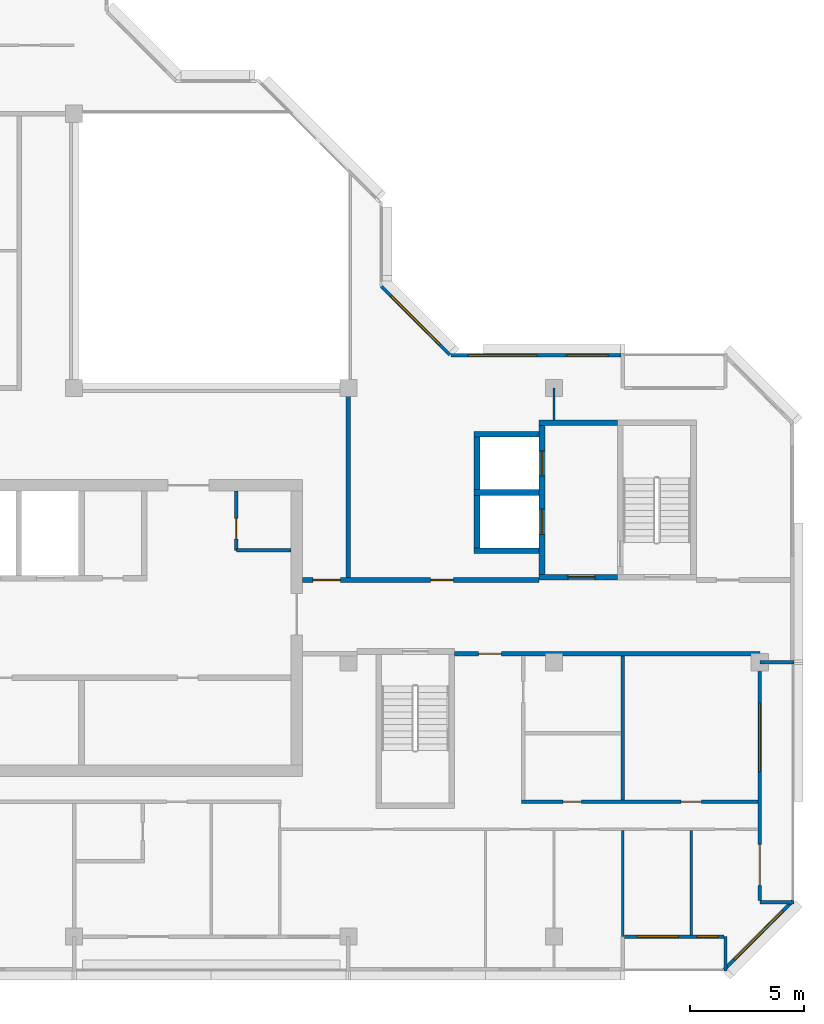
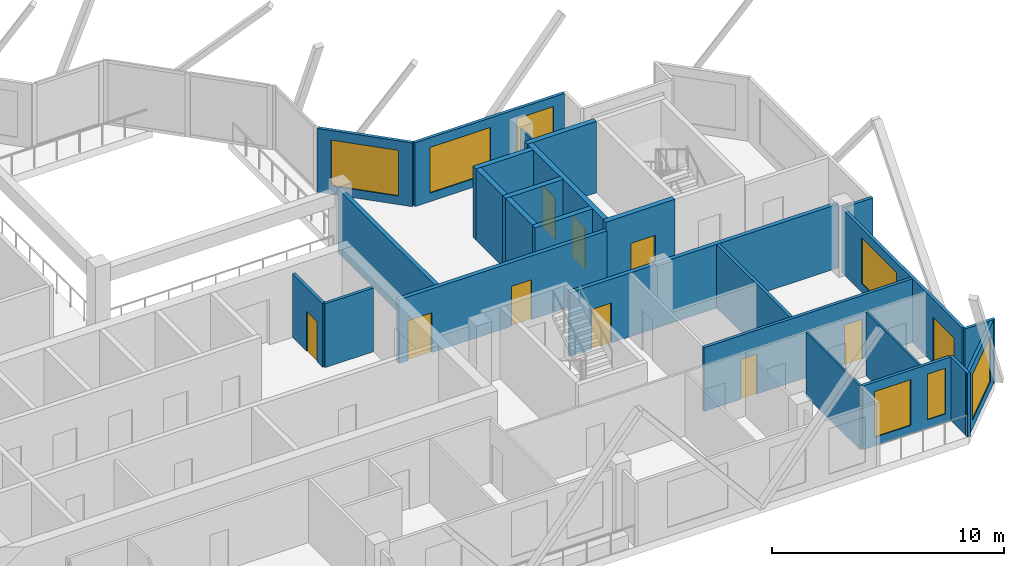
# One storey, part 6 of 12: 26 walls, 10 doors, 7 windows, 17 openings.
"""IFC4 building model written with IfcOpenShell, lengths in metres."""

from ifc_helpers import new_model, si_unit, direction, frame, frame_2d, origin, place, context, subcontext, project, spatial, rectangle, extrude, material, layer, layer_set, type_object, element, fill, save


model = new_model("IFC4")

# Units and contexts
model_context = context("Model", 3, precision=1e-05, world=origin(), true_north=direction((0.0, 1.0)))
body_context = subcontext(model_context, "Body", "Model", "MODEL_VIEW")
ifc_project = project(units=[si_unit("LENGTHUNIT", "METRE"), si_unit("AREAUNIT", "SQUARE_METRE"), si_unit("VOLUMEUNIT", "CUBIC_METRE"), si_unit("PLANEANGLEUNIT", "RADIAN"), si_unit("MASSUNIT", "GRAM", prefix="KILO")], contexts=[model_context])

# Site, building, storey
site_placement = place(None, origin())
site = spatial("IfcSite", under=ifc_project, at=site_placement, CompositionType="ELEMENT")
building_placement = place(site_placement, origin())
building = spatial("IfcBuilding", under=site, at=building_placement, Name="Chenar Terraces", CompositionType="ELEMENT")
storey_placement = place(building_placement, frame((0.0, 0.0, 338.89990234375)))
storey = spatial("IfcBuildingStorey", under=building, at=storey_placement, Name="L78", CompositionType="ELEMENT", Elevation=338.89990234375)

# Wall, opening, door
ifc_material_1 = material(Name="Gypsum board on steel studs", Category="steel")
ifc_layer_1 = layer(ifc_material_1, 0.14990234375)
ifc_layer_set_1 = layer_set([ifc_layer_1], Name="Gypsum board on steel studs")
wall_type_1 = type_object("IfcWallType", Name="Core partition 150 gypsum board", PredefinedType="PARTITIONING", material=ifc_layer_set_1)
wall_1_placement = place(storey_placement, frame((31.10009765625, 16.89990234375, 0.0), z_axis=(0.0, 0.0, 1.0), x_axis=(0.0, 1.0, 0.0)))
wall_1 = element("IfcWall", 1, at=wall_1_placement, inside=storey, type_object=wall_type_1, Name="Core partition CP1 vestibule room west wall", PredefinedType="PARTITIONING", context=body_context, shape_type="SweptSolid", body=[
    extrude(rectangle(XDim=2.60009765625, YDim=0.14990234375, at=frame_2d((1.300048828125, 0.0))), origin(), (0.0, 0.0, 1.0), 3.35009765625),
])
opening_1_placement = place(wall_1_placement, frame((0.5, 0.0, 0.0)))
opening_1 = element("IfcOpeningElement", 2, at=opening_1_placement, cuts=wall_1, Name="Opening DL78-C16", PredefinedType="OPENING", context=body_context, shape_type="SweptSolid", body=[
    extrude(rectangle(XDim=0.89990234375, YDim=2.10009765625, at=frame_2d((0.449951171875, 1.050048828125))), frame((0.0, 0.0849609375, 0.0), z_axis=(0.0, -1.0, 0.0), x_axis=(1.0, 0.0, 0.0)), (0.0, 0.0, 1.0), 0.169921875),
])
ifc_material_2 = material(Name="Steel-framed fire-resisting door leaf", Category="steel")
door_type_1 = type_object("IfcDoorType", Name="Riser fire door FD60 900 x 2100", OperationType="SINGLE_SWING_LEFT", PredefinedType="DOOR", material=ifc_material_2)
door_1_placement = place(opening_1_placement, frame((0.89990234375, 0.0, 0.0), z_axis=(0.0, 0.0, 1.0), x_axis=(-1.0, 0.0, 0.0)))
door_1 = element("IfcDoor", 3, at=door_1_placement, inside=storey, type_object=door_type_1, Name="Core room door DL78-C16", OperationType="SINGLE_SWING_RIGHT", OverallHeight=2.10009765625, OverallWidth=0.89990234375, PredefinedType="DOOR", context=body_context, shape_type="SweptSolid", body=[
    extrude(rectangle(XDim=0.89990234375, YDim=2.10009765625, at=frame_2d((0.449951171875, 1.050048828125))), frame((0.0, 0.02490234375, 0.0), z_axis=(0.0, -1.0, 0.0), x_axis=(1.0, 0.0, 0.0)), (0.0, 0.0, 1.0), 0.050048828125),
])
fill(opening_1, door_1)

# Wall
wall_2_placement = place(storey_placement, frame((31.10009765625, 16.89990234375, 0.0), z_axis=(0.0, 0.0, 1.0), x_axis=(1.0, 0.0, 0.0)))
element("IfcWall", 4, at=wall_2_placement, inside=storey, type_object=wall_type_1, Name="Core partition CP1 vestibule room south wall", PredefinedType="PARTITIONING", context=body_context, shape_type="SweptSolid", body=[
    extrude(rectangle(XDim=2.39990234375, YDim=0.14990234375, at=frame_2d((1.199951171875, 0.0))), origin(), (0.0, 0.0, 1.0), 3.35009765625),
])

# Wall, opening, door
ifc_material_3 = material(Name="Concrete C50/60", Category="concrete")
ifc_layer_2 = layer(ifc_material_3, 0.25)
ifc_layer_set_2 = layer_set([ifc_layer_2], Name="Concrete C50/60")
wall_type_2 = type_object("IfcWallType", Name="Core wall 250 Concrete C50/60", PredefinedType="SHEAR", material=ifc_layer_set_2)
wall_3_placement = place(storey_placement, frame((44.35009765625, 15.72509765625, 0.0), z_axis=(0.0, 0.0, 1.0), x_axis=(1.0, 0.0, 0.0)))
wall_3 = element("IfcWall", 5, at=wall_3_placement, inside=storey, type_object=wall_type_2, Name="Core wall F3_LS L78", PredefinedType="SHEAR", context=body_context, shape_type="SweptSolid", body=[
    extrude(rectangle(XDim=3.4248046875, YDim=0.25, at=frame_2d((1.71240234375, 0.0))), origin(), (0.0, 0.0, 1.0), 3.75),
])
opening_2_placement = place(wall_3_placement, frame((1.25, 0.0, 0.0)))
opening_2 = element("IfcOpeningElement", 6, at=opening_2_placement, cuts=wall_3, Name="Opening DL78-C10", PredefinedType="OPENING", context=body_context, shape_type="SweptSolid", body=[
    extrude(rectangle(XDim=1.199951171875, YDim=2.199951171875, at=frame_2d((0.60009765625, 1.10009765625))), frame((0.0, 0.135009765625, 0.0), z_axis=(0.0, -1.0, 0.0), x_axis=(1.0, 0.0, 0.0)), (0.0, 0.0, 1.0), 0.27001953125),
])
ifc_material_4 = material(Name="Steel-framed fire-resisting door leaf", Category="steel")
door_type_2 = type_object("IfcDoorType", Name="Lobby fire door FD60 1200 x 2200", OperationType="SINGLE_SWING_LEFT", PredefinedType="DOOR", material=ifc_material_4)
door_2_placement = place(opening_2_placement, origin())
door_2 = element("IfcDoor", 7, at=door_2_placement, inside=storey, type_object=door_type_2, Name="Core door DL78-C10", OperationType="SINGLE_SWING_RIGHT", OverallHeight=2.199951171875, OverallWidth=1.199951171875, PredefinedType="DOOR", context=body_context, shape_type="SweptSolid", body=[
    extrude(rectangle(XDim=1.199951171875, YDim=2.199951171875, at=frame_2d((0.60009765625, 1.10009765625))), frame((0.0, 0.02490234375, 0.0), z_axis=(0.0, -1.0, 0.0), x_axis=(1.0, 0.0, 0.0)), (0.0, 0.0, 1.0), 0.050048828125),
])
fill(opening_2, door_2)

# Wall
wall_4_placement = place(storey_placement, frame((44.35009765625, 22.47509765625, 0.0), z_axis=(0.0, 0.0, 1.0), x_axis=(1.0, 0.0, 0.0)))
element("IfcWall", 8, at=wall_4_placement, inside=storey, type_object=wall_type_2, Name="Core wall F3_LN L78", PredefinedType="SHEAR", context=body_context, shape_type="SweptSolid", body=[
    extrude(rectangle(XDim=3.4248046875, YDim=0.25, at=frame_2d((1.71240234375, 0.0))), origin(), (0.0, 0.0, 1.0), 3.75),
])

# Wall, openings, doors
wall_5_placement = place(storey_placement, frame((44.47509765625, 15.85009765625, 0.0), z_axis=(0.0, 0.0, 1.0), x_axis=(0.0, 1.0, 0.0)))
wall_5 = element("IfcWall", 9, at=wall_5_placement, inside=storey, type_object=wall_type_2, Name="Core wall F3_LW L78", PredefinedType="SHEAR", context=body_context, shape_type="SweptSolid", body=[
    extrude(rectangle(XDim=6.5, YDim=0.25, at=frame_2d((3.25, 0.0))), origin(), (0.0, 0.0, 1.0), 3.75),
])
opening_3_placement = place(wall_5_placement, frame((1.75, 0.0, 0.0)))
opening_3 = element("IfcOpeningElement", 10, at=opening_3_placement, cuts=wall_5, Name="Opening DL78-LD8", PredefinedType="OPENING", context=body_context, shape_type="SweptSolid", body=[
    extrude(rectangle(XDim=1.10009765625, YDim=2.199951171875, at=frame_2d((0.550048828125, 1.10009765625))), frame((0.0, 0.135009765625, 0.0), z_axis=(0.0, -1.0, 0.0), x_axis=(1.0, 0.0, 0.0)), (0.0, 0.0, 1.0), 0.27001953125),
])
opening_4_placement = place(wall_5_placement, frame((4.300048828125, 0.0, 0.0)))
opening_4 = element("IfcOpeningElement", 11, at=opening_4_placement, cuts=wall_5, Name="Opening DL78-LD9", PredefinedType="OPENING", context=body_context, shape_type="SweptSolid", body=[
    extrude(rectangle(XDim=1.10009765625, YDim=2.199951171875, at=frame_2d((0.550048828125, 1.10009765625))), frame((0.0, 0.135009765625, 0.0), z_axis=(0.0, -1.0, 0.0), x_axis=(1.0, 0.0, 0.0)), (0.0, 0.0, 1.0), 0.27001953125),
])
ifc_material_5 = material(Name="Stainless steel", Category="steel")
door_type_3 = type_object("IfcDoorType", Name="Lift landing door 1100 x 2200 sliding", OperationType="DOUBLE_DOOR_SLIDING", PredefinedType="DOOR", material=ifc_material_5)
door_3_placement = place(opening_3_placement, origin())
door_3 = element("IfcDoor", 12, at=door_3_placement, inside=storey, type_object=door_type_3, Name="Landing door F3", OperationType="DOUBLE_DOOR_SLIDING", OverallHeight=2.199951171875, OverallWidth=1.10009765625, PredefinedType="DOOR", context=body_context, shape_type="SweptSolid", body=[
    extrude(rectangle(XDim=1.10009765625, YDim=2.199951171875, at=frame_2d((0.550048828125, 1.10009765625))), frame((0.0, 0.02490234375, 0.0), z_axis=(0.0, -1.0, 0.0), x_axis=(1.0, 0.0, 0.0)), (0.0, 0.0, 1.0), 0.050048828125),
])
fill(opening_3, door_3)
door_4_placement = place(opening_4_placement, origin())
door_4 = element("IfcDoor", 13, at=door_4_placement, inside=storey, type_object=door_type_3, Name="Landing door F4", OperationType="DOUBLE_DOOR_SLIDING", OverallHeight=2.199951171875, OverallWidth=1.10009765625, PredefinedType="DOOR", context=body_context, shape_type="SweptSolid", body=[
    extrude(rectangle(XDim=1.10009765625, YDim=2.199951171875, at=frame_2d((0.550048828125, 1.10009765625))), frame((0.0, 0.02490234375, 0.0), z_axis=(0.0, -1.0, 0.0), x_axis=(1.0, 0.0, 0.0)), (0.0, 0.0, 1.0), 0.050048828125),
])
fill(opening_4, door_4)

# Walls
for number, where, z_axis, x_axis, name in (
    (14, (41.5, 16.875, 0.0), (0.0, 0.0, 1.0), (1.0, 0.0, 0.0), "Core wall F3_SS L78"),
    (15, (41.5, 19.425048828125, 0.0), (0.0, 0.0, 1.0), (1.0, 0.0, 0.0), "Core wall F3_SM L78"),
    (16, (41.5, 21.97509765625, 0.0), (0.0, 0.0, 1.0), (1.0, 0.0, 0.0), "Core wall F4_SN L78"),
):
    element("IfcWall", number, at=place(storey_placement, frame(where, z_axis=z_axis, x_axis=x_axis)), inside=storey, type_object=wall_type_2, Name=name, PredefinedType="SHEAR", context=body_context, shape_type="SweptSolid", body=[
        extrude(rectangle(XDim=2.85009765625, YDim=0.25, at=frame_2d((1.425048828125, 0.0))), origin(), (0.0, 0.0, 1.0), 3.75),
    ])
for number, where, z_axis, x_axis, name in (
    (17, (41.625, 17.0, 0.0), (0.0, 0.0, 1.0), (0.0, 1.0, 0.0), "Core wall F3_SW L78"),
    (18, (41.625, 19.550048828125, 0.0), (0.0, 0.0, 1.0), (0.0, 1.0, 0.0), "Core wall F4_SW L78"),
):
    element("IfcWall", number, at=place(storey_placement, frame(where, z_axis=z_axis, x_axis=x_axis)), inside=storey, type_object=wall_type_2, Name=name, PredefinedType="SHEAR", context=body_context, shape_type="SweptSolid", body=[
        extrude(rectangle(XDim=2.300048828125, YDim=0.25, at=frame_2d((1.14990234375, 0.0))), origin(), (0.0, 0.0, 1.0), 3.75),
    ])

# Wall, openings, doors
ifc_material_6 = material(Name="Gypsum board on steel studs with fire boards", Category="steel")
ifc_layer_3 = layer(ifc_material_6, 0.199951171875)
ifc_layer_set_3 = layer_set([ifc_layer_3], Name="Gypsum board on steel studs with fire boards")
wall_type_3 = type_object("IfcWallType", Name="Corridor wall 200", PredefinedType="PARTITIONING", material=ifc_layer_set_3)
wall_6_placement = place(storey_placement, frame((34.0, 15.60009765625, 0.0), z_axis=(0.0, 0.0, 1.0), x_axis=(1.0, 0.0, 0.0)))
wall_6 = element("IfcWall", 19, at=wall_6_placement, inside=storey, type_object=wall_type_3, Name="Partition L78-051", PredefinedType="PARTITIONING", context=body_context, shape_type="SweptSolid", body=[
    extrude(rectangle(XDim=10.35009765625, YDim=0.199951171875, at=frame_2d((5.175048828125, 0.0))), origin(), (0.0, 0.0, 1.0), 3.35009765625),
])
opening_5_placement = place(wall_6_placement, frame((5.60009765625, 0.0, 0.0)))
opening_5 = element("IfcOpeningElement", 20, at=opening_5_placement, cuts=wall_6, Name="Opening DL78-3", PredefinedType="OPENING", context=body_context, shape_type="SweptSolid", body=[
    extrude(rectangle(XDim=1.0, YDim=2.10009765625, at=frame_2d((0.5, 1.050048828125))), frame((0.0, 0.10986328125, 0.0), z_axis=(0.0, -1.0, 0.0), x_axis=(1.0, 0.0, 0.0)), (0.0, 0.0, 1.0), 0.219970703125),
])
opening_6_placement = place(wall_6_placement, frame((0.449951171875, 0.0, 0.0)))
opening_6 = element("IfcOpeningElement", 21, at=opening_6_placement, cuts=wall_6, Name="Opening DL78-19", PredefinedType="OPENING", context=body_context, shape_type="SweptSolid", body=[
    extrude(rectangle(XDim=1.199951171875, YDim=2.10009765625, at=frame_2d((0.60009765625, 1.050048828125))), frame((0.0, 0.10986328125, 0.0), z_axis=(0.0, -1.0, 0.0), x_axis=(1.0, 0.0, 0.0)), (0.0, 0.0, 1.0), 0.219970703125),
])
ifc_material_7 = material(Name="Steel-framed fire-resisting door leaf", Category="steel")
door_type_4 = type_object("IfcDoorType", Name="Fire door FD60 1000 x 2100", OperationType="SINGLE_SWING_LEFT", PredefinedType="DOOR", material=ifc_material_7)
door_5_placement = place(opening_5_placement, origin())
door_5 = element("IfcDoor", 22, at=door_5_placement, inside=storey, type_object=door_type_4, Name="Door DL78-3", OperationType="SINGLE_SWING_RIGHT", OverallHeight=2.10009765625, OverallWidth=1.0, PredefinedType="DOOR", context=body_context, shape_type="SweptSolid", body=[
    extrude(rectangle(XDim=1.0, YDim=2.10009765625, at=frame_2d((0.5, 1.050048828125))), frame((0.0, 0.02490234375, 0.0), z_axis=(0.0, -1.0, 0.0), x_axis=(1.0, 0.0, 0.0)), (0.0, 0.0, 1.0), 0.050048828125),
])
fill(opening_5, door_5)
ifc_material_8 = material(Name="Steel-framed fire-resisting door leaf", Category="steel")
door_type_5 = type_object("IfcDoorType", Name="Fire door FD60 1200 x 2100", OperationType="SINGLE_SWING_LEFT", PredefinedType="DOOR", material=ifc_material_8)
door_6_placement = place(opening_6_placement, origin())
door_6 = element("IfcDoor", 23, at=door_6_placement, inside=storey, type_object=door_type_5, Name="Door DL78-19", OperationType="SINGLE_SWING_RIGHT", OverallHeight=2.10009765625, OverallWidth=1.199951171875, PredefinedType="DOOR", context=body_context, shape_type="SweptSolid", body=[
    extrude(rectangle(XDim=1.199951171875, YDim=2.10009765625, at=frame_2d((0.60009765625, 1.050048828125))), frame((0.0, 0.02490234375, 0.0), z_axis=(0.0, -1.0, 0.0), x_axis=(1.0, 0.0, 0.0)), (0.0, 0.0, 1.0), 0.050048828125),
])
fill(opening_6, door_6)

# Wall
wall_7_placement = place(storey_placement, frame((36.0, 15.699951171875, 0.0), z_axis=(0.0, 0.0, 1.0), x_axis=(0.0, 1.0, 0.0)))
element("IfcWall", 24, at=wall_7_placement, inside=storey, type_object=wall_type_3, Name="Partition L78-052", PredefinedType="PARTITIONING", context=body_context, shape_type="SweptSolid", body=[
    extrude(rectangle(XDim=8.300048828125, YDim=0.199951171875, at=frame_2d((4.14990234375, 0.0))), origin(), (0.0, 0.0, 1.0), 3.35009765625),
])

# Wall, opening, door
wall_8_placement = place(storey_placement, frame((40.64990234375, 12.375, 0.0), z_axis=(0.0, 0.0, 1.0), x_axis=(1.0, 0.0, 0.0)))
wall_8 = element("IfcWall", 25, at=wall_8_placement, inside=storey, type_object=wall_type_3, Name="Partition L78-053", PredefinedType="PARTITIONING", context=body_context, shape_type="SweptSolid", body=[
    extrude(rectangle(XDim=13.35009765625, YDim=0.199951171875, at=frame_2d((6.675048828125, 0.0))), origin(), (0.0, 0.0, 1.0), 3.35009765625),
])
opening_7_placement = place(wall_8_placement, frame((1.050048828125, 0.0, 0.0)))
opening_7 = element("IfcOpeningElement", 26, at=opening_7_placement, cuts=wall_8, Name="Opening DL78-35", PredefinedType="OPENING", context=body_context, shape_type="SweptSolid", body=[
    extrude(rectangle(XDim=1.0, YDim=2.10009765625, at=frame_2d((0.5, 1.050048828125))), frame((0.0, 0.10986328125, 0.0), z_axis=(0.0, -1.0, 0.0), x_axis=(1.0, 0.0, 0.0)), (0.0, 0.0, 1.0), 0.219970703125),
])
ifc_material_9 = material(Name="Steel-framed fire-resisting door leaf", Category="steel")
door_type_6 = type_object("IfcDoorType", Name="Fire door FD30S 1000 x 2100", OperationType="SINGLE_SWING_LEFT", PredefinedType="DOOR", material=ifc_material_9)
door_7_placement = place(opening_7_placement, origin())
door_7 = element("IfcDoor", 27, at=door_7_placement, inside=storey, type_object=door_type_6, Name="Door DL78-35", OperationType="SINGLE_SWING_LEFT", OverallHeight=2.10009765625, OverallWidth=1.0, PredefinedType="DOOR", context=body_context, shape_type="SweptSolid", body=[
    extrude(rectangle(XDim=1.0, YDim=2.10009765625, at=frame_2d((0.5, 1.050048828125))), frame((0.0, 0.02490234375, 0.0), z_axis=(0.0, -1.0, 0.0), x_axis=(1.0, 0.0, 0.0)), (0.0, 0.0, 1.0), 0.050048828125),
])
fill(opening_7, door_7)

# Wall, openings, windows
ifc_material_10 = material(Name="Aluminium framed glazing", Category="aluminium")
ifc_layer_4 = layer(ifc_material_10, 0.14990234375)
ifc_layer_set_4 = layer_set([ifc_layer_4], Name="Aluminium framed glazing")
wall_type_4 = type_object("IfcWallType", Name="Glazed flush facade wall 150", PredefinedType="SOLIDWALL", material=ifc_layer_set_4)
wall_9_placement = place(storey_placement, frame((47.925048828125, 25.425048828125, 0.0), z_axis=(0.0, 0.0, 1.0), x_axis=(-1.0, 0.0, 0.0)))
wall_9 = element("IfcWall", 28, at=wall_9_placement, inside=storey, type_object=wall_type_4, Name="Glazed flush facade wall", PredefinedType="SOLIDWALL", context=body_context, shape_type="SweptSolid", body=[
    extrude(rectangle(XDim=7.425048828125, YDim=0.14990234375, at=frame_2d((3.71240234375, 0.0))), origin(), (0.0, 0.0, 1.0), 3.35009765625),
])
opening_8_placement = place(wall_9_placement, frame((0.5625, 0.0, 0.449951171875)))
opening_8 = element("IfcOpeningElement", 29, at=opening_8_placement, cuts=wall_9, Name="Opening W180x240", PredefinedType="OPENING", context=body_context, shape_type="SweptSolid", body=[
    extrude(rectangle(XDim=1.800048828125, YDim=2.39990234375, at=frame_2d((0.89990234375, 1.199951171875))), frame((0.0, 0.0849609375, 0.0), z_axis=(0.0, -1.0, 0.0), x_axis=(1.0, 0.0, 0.0)), (0.0, 0.0, 1.0), 0.169921875),
])
opening_9_placement = place(wall_9_placement, frame((3.675048828125, 0.0, 0.449951171875)))
opening_9 = element("IfcOpeningElement", 30, at=opening_9_placement, cuts=wall_9, Name="Opening W300x240", PredefinedType="OPENING", context=body_context, shape_type="SweptSolid", body=[
    extrude(rectangle(XDim=3.0, YDim=2.39990234375, at=frame_2d((1.5, 1.199951171875))), frame((0.0, 0.0849609375, 0.0), z_axis=(0.0, -1.0, 0.0), x_axis=(1.0, 0.0, 0.0)), (0.0, 0.0, 1.0), 0.169921875),
])
ifc_material_11 = material(Name="Low emissivity double glazing, aluminium frame", Category="aluminium")
window_type_1 = type_object("IfcWindowType", Name="Fixed light 1800 x 2400", PartitioningType="SINGLE_PANEL", PredefinedType="WINDOW", material=ifc_material_11)
window_1_placement = place(opening_8_placement, origin())
window_1 = element("IfcWindow", 31, at=window_1_placement, inside=storey, type_object=window_type_1, Name="Window", OverallHeight=2.39990234375, OverallWidth=1.800048828125, PartitioningType="SINGLE_PANEL", PredefinedType="WINDOW", context=body_context, shape_type="SweptSolid", body=[
    extrude(rectangle(XDim=1.800048828125, YDim=2.39990234375, at=frame_2d((0.89990234375, 1.199951171875))), frame((0.0, 0.030029296875, 0.0), z_axis=(0.0, -1.0, 0.0), x_axis=(1.0, 0.0, 0.0)), (0.0, 0.0, 1.0), 0.06005859375),
])
fill(opening_8, window_1)
ifc_material_12 = material(Name="Low emissivity double glazing, aluminium frame", Category="aluminium")
window_type_2 = type_object("IfcWindowType", Name="Fixed light 3000 x 2400", PartitioningType="SINGLE_PANEL", PredefinedType="WINDOW", material=ifc_material_12)
window_2_placement = place(opening_9_placement, origin())
window_2 = element("IfcWindow", 32, at=window_2_placement, inside=storey, type_object=window_type_2, Name="Window", OverallHeight=2.39990234375, OverallWidth=3.0, PartitioningType="SINGLE_PANEL", PredefinedType="WINDOW", context=body_context, shape_type="SweptSolid", body=[
    extrude(rectangle(XDim=3.0, YDim=2.39990234375, at=frame_2d((1.5, 1.199951171875))), frame((0.0, 0.030029296875, 0.0), z_axis=(0.0, -1.0, 0.0), x_axis=(1.0, 0.0, 0.0)), (0.0, 0.0, 1.0), 0.06005859375),
])
fill(opening_9, window_2)

ifc_material_13 = material(Name="Aluminium framed glazing", Category="aluminium")
ifc_layer_5 = layer(ifc_material_13, 0.14990234375)
ifc_layer_set_5 = layer_set([ifc_layer_5], Name="Aluminium framed glazing")
wall_type_5 = type_object("IfcWallType", Name="Glazed loggia back wall 150", PredefinedType="SOLIDWALL", material=ifc_layer_set_5)
wall_10_placement = place(storey_placement, frame((48.074951171875, 0.0, 0.0), z_axis=(0.0, 0.0, 1.0), x_axis=(1.0, 0.0, 0.0)))
wall_10 = element("IfcWall", 33, at=wall_10_placement, inside=storey, type_object=wall_type_5, Name="Glazed loggia back wall", PredefinedType="SOLIDWALL", context=body_context, shape_type="SweptSolid", body=[
    extrude(rectangle(XDim=4.35009765625, YDim=0.14990234375, at=frame_2d((2.175048828125, 0.0))), origin(), (0.0, 0.0, 1.0), 3.35009765625),
])
opening_10_placement = place(wall_10_placement, frame((0.5625, 0.0, 0.449951171875)))
opening_10 = element("IfcOpeningElement", 34, at=opening_10_placement, cuts=wall_10, Name="Opening W180x240", PredefinedType="OPENING", context=body_context, shape_type="SweptSolid", body=[
    extrude(rectangle(XDim=1.800048828125, YDim=2.39990234375, at=frame_2d((0.89990234375, 1.199951171875))), frame((0.0, 0.0849609375, 0.0), z_axis=(0.0, -1.0, 0.0), x_axis=(1.0, 0.0, 0.0)), (0.0, 0.0, 1.0), 0.169921875),
])
opening_11_placement = place(wall_10_placement, frame((3.1875, 0.0, 0.449951171875)))
opening_11 = element("IfcOpeningElement", 35, at=opening_11_placement, cuts=wall_10, Name="Opening W90x240", PredefinedType="OPENING", context=body_context, shape_type="SweptSolid", body=[
    extrude(rectangle(XDim=0.89990234375, YDim=2.39990234375, at=frame_2d((0.449951171875, 1.199951171875))), frame((0.0, 0.0849609375, 0.0), z_axis=(0.0, -1.0, 0.0), x_axis=(1.0, 0.0, 0.0)), (0.0, 0.0, 1.0), 0.169921875),
])
window_3_placement = place(opening_10_placement, origin())
window_3 = element("IfcWindow", 36, at=window_3_placement, inside=storey, type_object=window_type_1, Name="Window", OverallHeight=2.39990234375, OverallWidth=1.800048828125, PartitioningType="SINGLE_PANEL", PredefinedType="WINDOW", context=body_context, shape_type="SweptSolid", body=[
    extrude(rectangle(XDim=1.800048828125, YDim=2.39990234375, at=frame_2d((0.89990234375, 1.199951171875))), frame((0.0, 0.030029296875, 0.0), z_axis=(0.0, -1.0, 0.0), x_axis=(1.0, 0.0, 0.0)), (0.0, 0.0, 1.0), 0.06005859375),
])
fill(opening_10, window_3)
ifc_material_14 = material(Name="Low emissivity double glazing, aluminium frame", Category="aluminium")
window_type_3 = type_object("IfcWindowType", Name="Fixed light 900 x 2400", PartitioningType="SINGLE_PANEL", PredefinedType="WINDOW", material=ifc_material_14)
window_4_placement = place(opening_11_placement, origin())
window_4 = element("IfcWindow", 37, at=window_4_placement, inside=storey, type_object=window_type_3, Name="Window", OverallHeight=2.39990234375, OverallWidth=0.89990234375, PartitioningType="SINGLE_PANEL", PredefinedType="WINDOW", context=body_context, shape_type="SweptSolid", body=[
    extrude(rectangle(XDim=0.89990234375, YDim=2.39990234375, at=frame_2d((0.449951171875, 1.199951171875))), frame((0.0, 0.030029296875, 0.0), z_axis=(0.0, -1.0, 0.0), x_axis=(1.0, 0.0, 0.0)), (0.0, 0.0, 1.0), 0.06005859375),
])
fill(opening_11, window_4)

# Wall, openings, window, door
wall_11_placement = place(storey_placement, frame((54.0, 1.574951171875, 0.0), z_axis=(0.0, 0.0, 1.0), x_axis=(0.0, 1.0, 0.0)))
wall_11 = element("IfcWall", 38, at=wall_11_placement, inside=storey, type_object=wall_type_5, Name="Glazed loggia back wall", PredefinedType="SOLIDWALL", context=body_context, shape_type="SweptSolid", body=[
    extrude(rectangle(XDim=10.35009765625, YDim=0.14990234375, at=frame_2d((5.175048828125, 0.0))), origin(), (0.0, 0.0, 1.0), 3.35009765625),
])
opening_12_placement = place(wall_11_placement, frame((0.66259765625, 0.0, 0.0)))
opening_12 = element("IfcOpeningElement", 39, at=opening_12_placement, cuts=wall_11, Name="Opening DL78-G5", PredefinedType="OPENING", context=body_context, shape_type="SweptSolid", body=[
    extrude(rectangle(XDim=1.800048828125, YDim=2.39990234375, at=frame_2d((0.89990234375, 1.199951171875))), frame((0.0, 0.0849609375, 0.0), z_axis=(0.0, -1.0, 0.0), x_axis=(1.0, 0.0, 0.0)), (0.0, 0.0, 1.0), 0.169921875),
])
opening_13_placement = place(wall_11_placement, frame((5.637451171875, 0.0, 0.449951171875)))
opening_13 = element("IfcOpeningElement", 40, at=opening_13_placement, cuts=wall_11, Name="Opening W300x240", PredefinedType="OPENING", context=body_context, shape_type="SweptSolid", body=[
    extrude(rectangle(XDim=3.0, YDim=2.39990234375, at=frame_2d((1.5, 1.199951171875))), frame((0.0, 0.0849609375, 0.0), z_axis=(0.0, -1.0, 0.0), x_axis=(1.0, 0.0, 0.0)), (0.0, 0.0, 1.0), 0.169921875),
])
window_5_placement = place(opening_13_placement, origin())
window_5 = element("IfcWindow", 41, at=window_5_placement, inside=storey, type_object=window_type_2, Name="Window", OverallHeight=2.39990234375, OverallWidth=3.0, PartitioningType="SINGLE_PANEL", PredefinedType="WINDOW", context=body_context, shape_type="SweptSolid", body=[
    extrude(rectangle(XDim=3.0, YDim=2.39990234375, at=frame_2d((1.5, 1.199951171875))), frame((0.0, 0.030029296875, 0.0), z_axis=(0.0, -1.0, 0.0), x_axis=(1.0, 0.0, 0.0)), (0.0, 0.0, 1.0), 0.06005859375),
])
fill(opening_13, window_5)
ifc_material_15 = material(Name="Low emissivity double glazing, aluminium frame", Category="aluminium")
door_type_7 = type_object("IfcDoorType", Name="Loggia glazed double door 1800 x 2400", OperationType="DOUBLE_DOOR_SINGLE_SWING", PredefinedType="DOOR", material=ifc_material_15)
door_8_placement = place(opening_12_placement, frame((1.800048828125, 0.0, 0.0), z_axis=(0.0, 0.0, 1.0), x_axis=(-1.0, 0.0, 0.0)))
door_8 = element("IfcDoor", 42, at=door_8_placement, inside=storey, type_object=door_type_7, Name="Loggia glazed door", OperationType="DOUBLE_DOOR_SINGLE_SWING", OverallHeight=2.39990234375, OverallWidth=1.800048828125, PredefinedType="DOOR", context=body_context, shape_type="SweptSolid", body=[
    extrude(rectangle(XDim=1.800048828125, YDim=2.39990234375, at=frame_2d((0.89990234375, 1.199951171875))), frame((0.0, 0.02490234375, 0.0), z_axis=(0.0, -1.0, 0.0), x_axis=(1.0, 0.0, 0.0)), (0.0, 0.0, 1.0), 0.050048828125),
])
fill(opening_12, door_8)

# Walls
ifc_material_16 = material(Name="Gypsum board on steel studs", Category="steel")
ifc_layer_6 = layer(ifc_material_16, 0.10009765625)
ifc_layer_set_6 = layer_set([ifc_layer_6], Name="Gypsum board on steel studs")
wall_type_6 = type_object("IfcWallType", Name="Gypsum partition 100", PredefinedType="PARTITIONING", material=ifc_layer_set_6)
wall_12_placement = place(storey_placement, frame((45.0, 22.60009765625, 0.0), z_axis=(0.0, 0.0, 1.0), x_axis=(0.0, 1.0, 0.0)))
element("IfcWall", 43, at=wall_12_placement, inside=storey, type_object=wall_type_6, Name="Partition L78-059", PredefinedType="PARTITIONING", context=body_context, shape_type="SweptSolid", body=[
    extrude(rectangle(XDim=1.39990234375, YDim=0.10009765625, at=frame_2d((0.699951171875, 0.0))), origin(), (0.0, 0.0, 1.0), 3.35009765625),
])
wall_13_placement = place(storey_placement, frame((48.0, 0.0, 0.0), z_axis=(0.0, 0.0, 1.0), x_axis=(0.0, 1.0, 0.0)))
element("IfcWall", 44, at=wall_13_placement, inside=storey, type_object=wall_type_6, Name="Partition L78-060", PredefinedType="PARTITIONING", context=body_context, shape_type="SweptSolid", body=[
    extrude(rectangle(XDim=4.64990234375, YDim=0.10009765625, at=frame_2d((2.324951171875, 0.0))), origin(), (0.0, 0.0, 1.0), 3.35009765625),
])
wall_14_placement = place(storey_placement, frame((51.0, 0.073974609375, 0.0), z_axis=(0.0, 0.0, 1.0), x_axis=(0.0, 1.0, 0.0)))
element("IfcWall", 45, at=wall_14_placement, inside=storey, type_object=wall_type_6, Name="Partition L78-062", PredefinedType="PARTITIONING", context=body_context, shape_type="SweptSolid", body=[
    extrude(rectangle(XDim=4.575927734375, YDim=0.10009765625, at=frame_2d((2.2880859375, 0.0))), origin(), (0.0, 0.0, 1.0), 3.35009765625),
])
ifc_material_17 = material(Name="Terracotta cladding on insulated backing", Category="masonry")
ifc_layer_7 = layer(ifc_material_17, 0.14990234375)
ifc_layer_set_7 = layer_set([ifc_layer_7], Name="Terracotta cladding on insulated backing")
wall_type_7 = type_object("IfcWallType", Name="Loggia return wall 150", PredefinedType="SOLIDWALL", material=ifc_layer_set_7)
for number, where, z_axis, x_axis, name in (
    (46, (52.5, -1.5, 0.0), (0.0, 0.0, 1.0), (0.0, 1.0, 0.0), "Loggia return wall"),
    (47, (55.5, 1.5, 0.0), (0.0, 0.0, 1.0), (-1.0, 0.0, 0.0), "Loggia return wall"),
    (48, (55.5, 12.0, 0.0), (0.0, 0.0, 1.0), (-1.0, 0.0, 0.0), "Loggia return wall"),
):
    element("IfcWall", number, at=place(storey_placement, frame(where, z_axis=z_axis, x_axis=x_axis)), inside=storey, type_object=wall_type_7, Name=name, PredefinedType="SOLIDWALL", context=body_context, shape_type="SweptSolid", body=[
        extrude(rectangle(XDim=1.5, YDim=0.14990234375, at=frame_2d((0.75, 0.0))), origin(), (0.0, 0.0, 1.0), 3.35009765625),
    ])

# Wall, opening, window
ifc_material_18 = material(Name="Terracotta cladding on insulated backing", Category="masonry")
ifc_layer_8 = layer(ifc_material_18, 0.14990234375)
ifc_layer_set_8 = layer_set([ifc_layer_8], Name="Terracotta cladding on insulated backing")
wall_type_8 = type_object("IfcWallType", Name="Terracotta rainscreen wall 150", PredefinedType="SOLIDWALL", material=ifc_layer_set_8)
wall_15_placement = place(storey_placement, frame((40.447021484375, 25.447021484375, 0.0), z_axis=(0.0, 0.0, 1.0), x_axis=(-0.707106781187, 0.707106781187, 0.0)))
wall_15 = element("IfcWall", 49, at=wall_15_placement, inside=storey, type_object=wall_type_8, Name="Terracotta rainscreen wall", PredefinedType="SOLIDWALL", context=body_context, shape_type="SweptSolid", body=[
    extrude(rectangle(XDim=4.24267578125, YDim=0.14990234375, at=frame_2d((2.121337890625, 0.0))), origin(), (0.0, 0.0, 1.0), 3.35009765625),
])
opening_14_placement = place(wall_15_placement, frame((0.621337890625, 0.0, 0.449951171875)))
opening_14 = element("IfcOpeningElement", 50, at=opening_14_placement, cuts=wall_15, Name="Opening W300x240", PredefinedType="OPENING", context=body_context, shape_type="SweptSolid", body=[
    extrude(rectangle(XDim=3.0, YDim=2.39990234375, at=frame_2d((1.5, 1.199951171875))), frame((0.0, 0.0849609375, 0.0), z_axis=(0.0, -1.0, 0.0), x_axis=(1.0, 0.0, 0.0)), (0.0, 0.0, 1.0), 0.169921875),
])
window_6_placement = place(opening_14_placement, origin())
window_6 = element("IfcWindow", 51, at=window_6_placement, inside=storey, type_object=window_type_2, Name="Window", OverallHeight=2.39990234375, OverallWidth=3.0, PartitioningType="SINGLE_PANEL", PredefinedType="WINDOW", context=body_context, shape_type="SweptSolid", body=[
    extrude(rectangle(XDim=3.0, YDim=2.39990234375, at=frame_2d((1.5, 1.199951171875))), frame((0.0, 0.030029296875, 0.0), z_axis=(0.0, -1.0, 0.0), x_axis=(1.0, 0.0, 0.0)), (0.0, 0.0, 1.0), 0.06005859375),
])
fill(opening_14, window_6)

wall_16_placement = place(storey_placement, frame((52.447021484375, -1.447021484375, 0.0), z_axis=(0.0, 0.0, 1.0), x_axis=(0.707106781187, 0.707106781187, 0.0)))
wall_16 = element("IfcWall", 52, at=wall_16_placement, inside=storey, type_object=wall_type_8, Name="Terracotta rainscreen wall", PredefinedType="SOLIDWALL", context=body_context, shape_type="SweptSolid", body=[
    extrude(rectangle(XDim=4.24267578125, YDim=0.14990234375, at=frame_2d((2.121337890625, 0.0))), origin(), (0.0, 0.0, 1.0), 3.35009765625),
])
opening_15_placement = place(wall_16_placement, frame((0.621337890625, 0.0, 0.449951171875)))
opening_15 = element("IfcOpeningElement", 53, at=opening_15_placement, cuts=wall_16, Name="Opening W300x240", PredefinedType="OPENING", context=body_context, shape_type="SweptSolid", body=[
    extrude(rectangle(XDim=3.0, YDim=2.39990234375, at=frame_2d((1.5, 1.199951171875))), frame((0.0, 0.0849609375, 0.0), z_axis=(0.0, -1.0, 0.0), x_axis=(1.0, 0.0, 0.0)), (0.0, 0.0, 1.0), 0.169921875),
])
window_7_placement = place(opening_15_placement, origin())
window_7 = element("IfcWindow", 54, at=window_7_placement, inside=storey, type_object=window_type_2, Name="Window", OverallHeight=2.39990234375, OverallWidth=3.0, PartitioningType="SINGLE_PANEL", PredefinedType="WINDOW", context=body_context, shape_type="SweptSolid", body=[
    extrude(rectangle(XDim=3.0, YDim=2.39990234375, at=frame_2d((1.5, 1.199951171875))), frame((0.0, 0.030029296875, 0.0), z_axis=(0.0, -1.0, 0.0), x_axis=(1.0, 0.0, 0.0)), (0.0, 0.0, 1.0), 0.06005859375),
])
fill(opening_15, window_7)

# Wall, openings, doors
ifc_material_19 = material(Name="Moisture-resistant gypsum board on steel studs", Category="steel")
ifc_layer_9 = layer(ifc_material_19, 0.14990234375)
ifc_layer_set_9 = layer_set([ifc_layer_9], Name="Moisture-resistant gypsum board on steel studs")
wall_type_9 = type_object("IfcWallType", Name="Wet-room partition 150", PredefinedType="PARTITIONING", material=ifc_layer_set_9)
wall_17_placement = place(storey_placement, frame((43.574951171875, 5.89990234375, 0.0), z_axis=(0.0, 0.0, 1.0), x_axis=(1.0, 0.0, 0.0)))
wall_17 = element("IfcWall", 55, at=wall_17_placement, inside=storey, type_object=wall_type_9, Name="Partition L78-055", PredefinedType="PARTITIONING", context=body_context, shape_type="SweptSolid", body=[
    extrude(rectangle(XDim=10.35107421875, YDim=0.14990234375, at=frame_2d((5.175537109375, 0.0))), origin(), (0.0, 0.0, 1.0), 3.35009765625),
])
opening_16_placement = place(wall_17_placement, frame((1.824951171875, 0.0, 0.0)))
opening_16 = element("IfcOpeningElement", 56, at=opening_16_placement, cuts=wall_17, Name="Opening DL78-24", PredefinedType="OPENING", context=body_context, shape_type="SweptSolid", body=[
    extrude(rectangle(XDim=0.800048828125, YDim=2.10009765625, at=frame_2d((0.39990234375, 1.050048828125))), frame((0.0, 0.0849609375, 0.0), z_axis=(0.0, -1.0, 0.0), x_axis=(1.0, 0.0, 0.0)), (0.0, 0.0, 1.0), 0.169921875),
])
opening_17_placement = place(wall_17_placement, frame((6.97509765625, 0.0, 0.0)))
opening_17 = element("IfcOpeningElement", 57, at=opening_17_placement, cuts=wall_17, Name="Opening DL78-39", PredefinedType="OPENING", context=body_context, shape_type="SweptSolid", body=[
    extrude(rectangle(XDim=0.89990234375, YDim=2.10009765625, at=frame_2d((0.449951171875, 1.050048828125))), frame((0.0, 0.0849609375, 0.0), z_axis=(0.0, -1.0, 0.0), x_axis=(1.0, 0.0, 0.0)), (0.0, 0.0, 1.0), 0.169921875),
])
ifc_material_20 = material(Name="Veneered timber door leaf", Category="wood")
door_type_8 = type_object("IfcDoorType", Name="Door 800 x 2100", OperationType="SINGLE_SWING_LEFT", PredefinedType="DOOR", material=ifc_material_20)
door_9_placement = place(opening_16_placement, origin())
door_9 = element("IfcDoor", 58, at=door_9_placement, inside=storey, type_object=door_type_8, Name="Door DL78-24", OperationType="SINGLE_SWING_RIGHT", OverallHeight=2.10009765625, OverallWidth=0.800048828125, PredefinedType="DOOR", context=body_context, shape_type="SweptSolid", body=[
    extrude(rectangle(XDim=0.800048828125, YDim=2.10009765625, at=frame_2d((0.39990234375, 1.050048828125))), frame((0.0, 0.02490234375, 0.0), z_axis=(0.0, -1.0, 0.0), x_axis=(1.0, 0.0, 0.0)), (0.0, 0.0, 1.0), 0.050048828125),
])
fill(opening_16, door_9)
ifc_material_21 = material(Name="Veneered timber door leaf", Category="wood")
door_type_9 = type_object("IfcDoorType", Name="Door 900 x 2100", OperationType="SINGLE_SWING_LEFT", PredefinedType="DOOR", material=ifc_material_21)
door_10_placement = place(opening_17_placement, origin())
door_10 = element("IfcDoor", 59, at=door_10_placement, inside=storey, type_object=door_type_9, Name="Door DL78-39", OperationType="SINGLE_SWING_RIGHT", OverallHeight=2.10009765625, OverallWidth=0.89990234375, PredefinedType="DOOR", context=body_context, shape_type="SweptSolid", body=[
    extrude(rectangle(XDim=0.89990234375, YDim=2.10009765625, at=frame_2d((0.449951171875, 1.050048828125))), frame((0.0, 0.02490234375, 0.0), z_axis=(0.0, -1.0, 0.0), x_axis=(1.0, 0.0, 0.0)), (0.0, 0.0, 1.0), 0.050048828125),
])
fill(opening_17, door_10)

# Wall
wall_18_placement = place(storey_placement, frame((48.0, 5.97509765625, 0.0), z_axis=(0.0, 0.0, 1.0), x_axis=(0.0, 1.0, 0.0)))
element("IfcWall", 60, at=wall_18_placement, inside=storey, type_object=wall_type_9, Name="Partition L78-061", PredefinedType="PARTITIONING", context=body_context, shape_type="SweptSolid", body=[
    extrude(rectangle(XDim=6.2998046875, YDim=0.14990234375, at=frame_2d((3.14990234375, 0.0))), origin(), (0.0, 0.0, 1.0), 3.35009765625),
])

save(model, "model.ifc")
